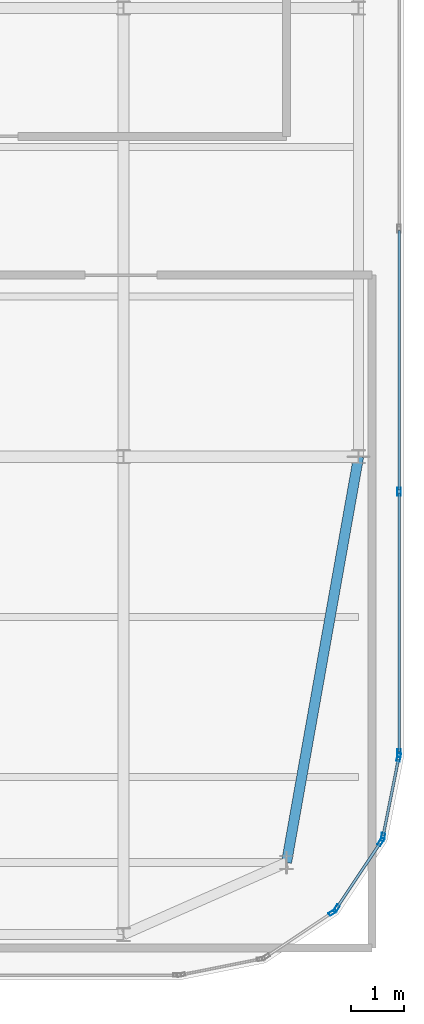
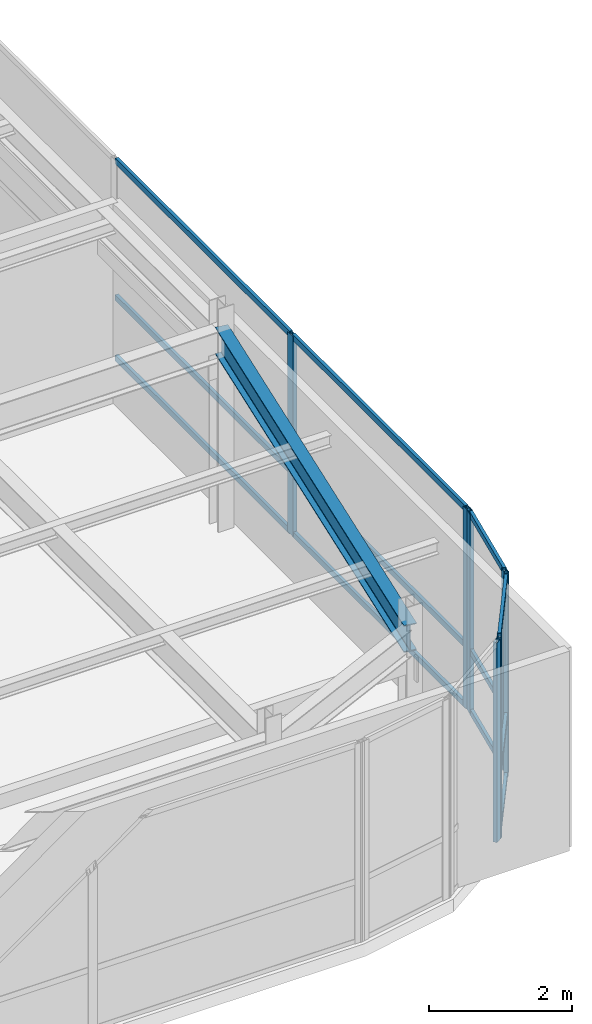
# One storey, part 21 of 35: 19 members, 1 beam, 4 elements without a shape of their own.
"""IFC4 building model written with IfcOpenShell, lengths in metres."""

from ifc_helpers import new_model, si_unit, direction, frame, origin, origin_2d, place, context, subcontext, project, spatial, hollow_rectangle, i_section, extrude, source, transform, mapped, material, layer, layer_set, material_profile, profile_set, type_object, type_shapes, element, aggregate, save


model = new_model("IFC4")

# Units and contexts
model_context = context("Model", 3, precision=1e-05, world=origin(), true_north=direction((0.0, 1.0)))
body_context = subcontext(model_context, "Body", "Model", "MODEL_VIEW")
ifc_project = project(units=[si_unit("LENGTHUNIT", "METRE"), si_unit("AREAUNIT", "SQUARE_METRE"), si_unit("VOLUMEUNIT", "CUBIC_METRE"), si_unit("PLANEANGLEUNIT", "RADIAN"), si_unit("MASSUNIT", "GRAM", prefix="KILO")], contexts=[model_context])

# Site, building, storey
site_placement = place(None, origin())
site = spatial("IfcSite", under=ifc_project, at=site_placement, CompositionType="ELEMENT")
building_placement = place(site_placement, origin())
building = spatial("IfcBuilding", under=site, at=building_placement, Name="Tolvann Quenvar Hotel", CompositionType="ELEMENT")
storey_placement = place(building_placement, frame((0.0, 0.0, 309.949951171875)))
storey = spatial("IfcBuildingStorey", under=building, at=storey_placement, Name="L82", CompositionType="ELEMENT", Elevation=309.949951171875)

# Beam
ifc_material_1 = material(Name="Steel Grade 350", Category="steel")
ifc_material_profile_1 = material_profile(ifc_material_1, i_section(OverallWidth=0.19091796875, OverallDepth=0.4599609375, WebThickness=0.010009765625, FlangeThickness=0.01611328125, FilletRadius=0.011474609375, at=origin_2d()), Name="460UB82")
ifc_profile_set_1 = profile_set([ifc_material_profile_1], Name="Steel Grade 350")
beam_type = type_object("IfcBeamType", Name="BM_SPAND_460UB82", PredefinedType="SPANDREL", material=ifc_profile_set_1)
shared_shape_1 = source(origin(), body_context, "Body", "SweptSolid", [
    extrude(i_section(OverallWidth=0.19091796875, OverallDepth=0.4599609375, WebThickness=0.010009765625, FlangeThickness=0.01611328125, FilletRadius=0.011474609375, at=origin_2d()), origin(), (0.0, 0.0, 1.0), 7.718994140625),
])
type_shapes(beam_type, [shared_shape_1])
beam_placement = place(storey_placement, frame((35.800048828125, 8.39990234375, 3.170166015625), z_axis=(0.174873222329, 0.984590958781, 0.0), x_axis=(-0.984590958781, 0.174873222329, 0.0)))
element("IfcBeam", 1, at=beam_placement, inside=storey, type_object=beam_type, Name="BM-L82-NS-G2-G4", PredefinedType="SPANDREL", context=body_context, shape_type="MappedRepresentation", body=[
    mapped(shared_shape_1, transform((0.0, 0.0, 0.0), x_axis=(1.0, 0.0, 0.0), y_axis=(0.0, 1.0, 0.0), z_axis=(0.0, 0.0, 1.0), scale=1.0)),
])

# Curtain wall, members
ifc_material_2 = material(Name="Thermally broken anodised architectural aluminium 6063-T6 and laminated low-E glass", Category="aluminium")
ifc_layer = layer(ifc_material_2, 0.179931640625)
ifc_layer_set = layer_set([ifc_layer], Name="Thermally broken anodised architectural aluminium 6063-T6 and laminated low-E glass")
curtain_wall_type = type_object("IfcCurtainWallType", Name="CW_SYS_LANT_06", PredefinedType="USERDEFINED", material=ifc_layer_set)
curtain_wall_1_placement = place(storey_placement, origin())
curtain_wall_1 = element("IfcCurtainWall", 2, at=curtain_wall_1_placement, inside=storey, type_object=curtain_wall_type, Name="Curtain Wall CW-LANT-06 (CWR-L82-E07)", ObjectType="UNITISED CURTAIN WALL", PredefinedType="USERDEFINED")
ifc_material_3 = material(Name="Anodised architectural aluminium 6063-T6 framing", Category="aluminium")
ifc_material_profile_2 = material_profile(ifc_material_3, hollow_rectangle(XDim=0.050048828125, YDim=0.10009765625, WallThickness=0.0029296875, at=origin_2d()), Name="100x50x3RHS")
ifc_profile_set_2 = profile_set([ifc_material_profile_2], Name="Anodised architectural aluminium 6063-T6 framing")
member_type_1 = type_object("IfcMemberType", Name="CW_TRAN_100x50", PredefinedType="USERDEFINED", material=ifc_profile_set_2)
shared_shape_2 = source(origin(), body_context, "Body", "SweptSolid", [
    extrude(hollow_rectangle(XDim=0.050048828125, YDim=0.10009765625, WallThickness=0.0029296875, at=origin_2d()), origin(), (0.0, 0.0, 1.0), 1.439208984375),
])
member_1_placement = place(storey_placement, frame((36.75048828125, 7.563232421875, 0.025146484375), z_axis=(0.555600315839, 0.831449510818, 0.0), x_axis=(-0.831449510818, 0.555600315839, 0.0)))
member_1 = element("IfcMember", 3, at=member_1_placement, type_object=member_type_1, Name="CW-LANT-06 transom 1.1", ObjectType="TRANSOM", PredefinedType="USERDEFINED", context=body_context, shape_type="MappedRepresentation", body=[
    mapped(shared_shape_2, transform((0.0, 0.0, 0.0), x_axis=(1.0, 0.0, 0.0), y_axis=(0.0, 1.0, 0.0), z_axis=(0.0, 0.0, 1.0), scale=1.0)),
])
member_2_placement = place(storey_placement, frame((36.75048828125, 7.563232421875, 1.050048828125), z_axis=(0.555600315839, 0.831449510818, 0.0), x_axis=(-0.831449510818, 0.555600315839, 0.0)))
member_2 = element("IfcMember", 4, at=member_2_placement, type_object=member_type_1, Name="CW-LANT-06 transom 1.2", ObjectType="TRANSOM", PredefinedType="USERDEFINED", context=body_context, shape_type="MappedRepresentation", body=[
    mapped(shared_shape_2, transform((0.0, 0.0, 0.0), x_axis=(1.0, 0.0, 0.0), y_axis=(0.0, 1.0, 0.0), z_axis=(0.0, 0.0, 1.0), scale=1.0)),
])
member_3_placement = place(storey_placement, frame((36.75048828125, 7.563232421875, 3.375), z_axis=(0.555600315839, 0.831449510818, 0.0), x_axis=(-0.831449510818, 0.555600315839, 0.0)))
member_3 = element("IfcMember", 5, at=member_3_placement, type_object=member_type_1, Name="CW-LANT-06 transom 1.3", ObjectType="TRANSOM", PredefinedType="USERDEFINED", context=body_context, shape_type="MappedRepresentation", body=[
    mapped(shared_shape_2, transform((0.0, 0.0, 0.0), x_axis=(1.0, 0.0, 0.0), y_axis=(0.0, 1.0, 0.0), z_axis=(0.0, 0.0, 1.0), scale=1.0)),
])

curtain_wall_2_placement = place(storey_placement, origin())
curtain_wall_2 = element("IfcCurtainWall", 6, at=curtain_wall_2_placement, inside=storey, type_object=curtain_wall_type, Name="Curtain Wall CW-LANT-06 (CWR-L82-E08)", ObjectType="UNITISED CURTAIN WALL", PredefinedType="USERDEFINED")
shared_shape_3 = source(origin(), body_context, "Body", "SweptSolid", [
    extrude(hollow_rectangle(XDim=0.050048828125, YDim=0.10009765625, WallThickness=0.0029296875, at=origin_2d()), origin(), (0.0, 0.0, 1.0), 1.456787109375),
])
member_4_placement = place(storey_placement, frame((37.611572265625, 8.908203125, 0.025146484375), z_axis=(0.195084651288, 0.980786408364, 0.0), x_axis=(-0.980786408364, 0.195084651288, 0.0)))
member_4 = element("IfcMember", 7, at=member_4_placement, type_object=member_type_1, Name="CW-LANT-06 transom 1.1", ObjectType="TRANSOM", PredefinedType="USERDEFINED", context=body_context, shape_type="MappedRepresentation", body=[
    mapped(shared_shape_3, transform((0.0, 0.0, 0.0), x_axis=(1.0, 0.0, 0.0), y_axis=(0.0, 1.0, 0.0), z_axis=(0.0, 0.0, 1.0), scale=1.0)),
])
member_5_placement = place(storey_placement, frame((37.611572265625, 8.908203125, 1.050048828125), z_axis=(0.195084651288, 0.980786408364, 0.0), x_axis=(-0.980786408364, 0.195084651288, 0.0)))
member_5 = element("IfcMember", 8, at=member_5_placement, type_object=member_type_1, Name="CW-LANT-06 transom 1.2", ObjectType="TRANSOM", PredefinedType="USERDEFINED", context=body_context, shape_type="MappedRepresentation", body=[
    mapped(shared_shape_3, transform((0.0, 0.0, 0.0), x_axis=(1.0, 0.0, 0.0), y_axis=(0.0, 1.0, 0.0), z_axis=(0.0, 0.0, 1.0), scale=1.0)),
])
member_6_placement = place(storey_placement, frame((37.611572265625, 8.908203125, 3.375), z_axis=(0.195084651288, 0.980786408364, 0.0), x_axis=(-0.980786408364, 0.195084651288, 0.0)))
member_6 = element("IfcMember", 9, at=member_6_placement, type_object=member_type_1, Name="CW-LANT-06 transom 1.3", ObjectType="TRANSOM", PredefinedType="USERDEFINED", context=body_context, shape_type="MappedRepresentation", body=[
    mapped(shared_shape_3, transform((0.0, 0.0, 0.0), x_axis=(1.0, 0.0, 0.0), y_axis=(0.0, 1.0, 0.0), z_axis=(0.0, 0.0, 1.0), scale=1.0)),
])

curtain_wall_3_placement = place(storey_placement, origin())
curtain_wall_3 = element("IfcCurtainWall", 10, at=curtain_wall_3_placement, inside=storey, type_object=curtain_wall_type, Name="Curtain Wall CW-LANT-06 (CWR-L82-E09)", ObjectType="UNITISED CURTAIN WALL", PredefinedType="USERDEFINED")
shared_shape_4 = source(origin(), body_context, "Body", "SweptSolid", [
    extrude(hollow_rectangle(XDim=0.050048828125, YDim=0.10009765625, WallThickness=0.0029296875, at=origin_2d()), origin(), (0.0, 0.0, 1.0), 4.830078125),
])
member_7_placement = place(storey_placement, frame((37.909912109375, 10.482177734375, 0.025146484375), z_axis=(0.0, 1.0, 0.0), x_axis=(-1.0, 0.0, 0.0)))
member_7 = element("IfcMember", 11, at=member_7_placement, type_object=member_type_1, Name="CW-LANT-06 transom 1.1", ObjectType="TRANSOM", PredefinedType="USERDEFINED", context=body_context, shape_type="MappedRepresentation", body=[
    mapped(shared_shape_4, transform((0.0, 0.0, 0.0), x_axis=(1.0, 0.0, 0.0), y_axis=(0.0, 1.0, 0.0), z_axis=(0.0, 0.0, 1.0), scale=1.0)),
])
member_8_placement = place(storey_placement, frame((37.909912109375, 10.482177734375, 1.050048828125), z_axis=(0.0, 1.0, 0.0), x_axis=(-1.0, 0.0, 0.0)))
member_8 = element("IfcMember", 12, at=member_8_placement, type_object=member_type_1, Name="CW-LANT-06 transom 1.2", ObjectType="TRANSOM", PredefinedType="USERDEFINED", context=body_context, shape_type="MappedRepresentation", body=[
    mapped(shared_shape_4, transform((0.0, 0.0, 0.0), x_axis=(1.0, 0.0, 0.0), y_axis=(0.0, 1.0, 0.0), z_axis=(0.0, 0.0, 1.0), scale=1.0)),
])
member_9_placement = place(storey_placement, frame((37.909912109375, 10.482177734375, 3.375), z_axis=(0.0, 1.0, 0.0), x_axis=(-1.0, 0.0, 0.0)))
member_9 = element("IfcMember", 13, at=member_9_placement, type_object=member_type_1, Name="CW-LANT-06 transom 1.3", ObjectType="TRANSOM", PredefinedType="USERDEFINED", context=body_context, shape_type="MappedRepresentation", body=[
    mapped(shared_shape_4, transform((0.0, 0.0, 0.0), x_axis=(1.0, 0.0, 0.0), y_axis=(0.0, 1.0, 0.0), z_axis=(0.0, 0.0, 1.0), scale=1.0)),
])
shared_shape_5 = source(origin(), body_context, "Body", "SweptSolid", [
    extrude(hollow_rectangle(XDim=0.050048828125, YDim=0.10009765625, WallThickness=0.0029296875, at=origin_2d()), origin(), (0.0, 0.0, 1.0), 4.86279296875),
])
type_shapes(member_type_1, [shared_shape_2, shared_shape_3, shared_shape_4, shared_shape_5])
member_10_placement = place(storey_placement, frame((37.909912109375, 15.377197265625, 0.025146484375), z_axis=(0.0, 1.0, 0.0), x_axis=(-1.0, 0.0, 0.0)))
member_10 = element("IfcMember", 14, at=member_10_placement, type_object=member_type_1, Name="CW-LANT-06 transom 2.1", ObjectType="TRANSOM", PredefinedType="USERDEFINED", context=body_context, shape_type="MappedRepresentation", body=[
    mapped(shared_shape_5, transform((0.0, 0.0, 0.0), x_axis=(1.0, 0.0, 0.0), y_axis=(0.0, 1.0, 0.0), z_axis=(0.0, 0.0, 1.0), scale=1.0)),
])
member_11_placement = place(storey_placement, frame((37.909912109375, 15.377197265625, 1.050048828125), z_axis=(0.0, 1.0, 0.0), x_axis=(-1.0, 0.0, 0.0)))
member_11 = element("IfcMember", 15, at=member_11_placement, type_object=member_type_1, Name="CW-LANT-06 transom 2.2", ObjectType="TRANSOM", PredefinedType="USERDEFINED", context=body_context, shape_type="MappedRepresentation", body=[
    mapped(shared_shape_5, transform((0.0, 0.0, 0.0), x_axis=(1.0, 0.0, 0.0), y_axis=(0.0, 1.0, 0.0), z_axis=(0.0, 0.0, 1.0), scale=1.0)),
])
member_12_placement = place(storey_placement, frame((37.909912109375, 15.377197265625, 3.375), z_axis=(0.0, 1.0, 0.0), x_axis=(-1.0, 0.0, 0.0)))
member_12 = element("IfcMember", 16, at=member_12_placement, type_object=member_type_1, Name="CW-LANT-06 transom 2.3", ObjectType="TRANSOM", PredefinedType="USERDEFINED", context=body_context, shape_type="MappedRepresentation", body=[
    mapped(shared_shape_5, transform((0.0, 0.0, 0.0), x_axis=(1.0, 0.0, 0.0), y_axis=(0.0, 1.0, 0.0), z_axis=(0.0, 0.0, 1.0), scale=1.0)),
])

# Curtain wall, member
curtain_wall_4_placement = place(storey_placement, origin())
curtain_wall_4 = element("IfcCurtainWall", 17, at=curtain_wall_4_placement, inside=storey, type_object=curtain_wall_type, Name="Curtain Wall CW-LANT-06 (CWR-L82-E06)", ObjectType="UNITISED CURTAIN WALL", PredefinedType="USERDEFINED")
ifc_material_profile_3 = material_profile(ifc_material_3, hollow_rectangle(XDim=0.06494140625, YDim=0.14990234375, WallThickness=0.00390625, at=origin_2d()), Name="150x65x4RHS")
ifc_profile_set_3 = profile_set([ifc_material_profile_3], Name="Anodised architectural aluminium 6063-T6 framing")
member_type_2 = type_object("IfcMemberType", Name="CW_MULL_150x65", PredefinedType="MULLION", material=ifc_profile_set_3)
shared_shape_6 = source(origin(), body_context, "Body", "SweptSolid", [
    extrude(hollow_rectangle(XDim=0.06494140625, YDim=0.14990234375, WallThickness=0.00390625, at=origin_2d()), origin(), (0.0, 0.0, 1.0), 3.400146484375),
])
type_shapes(member_type_2, [shared_shape_6])
member_13_placement = place(storey_placement, frame((36.663818359375, 7.467529296875, 0.0), z_axis=(0.0, 0.0, 1.0), x_axis=(-0.555655769644, 0.831412452193, 0.0)))
member_13 = element("IfcMember", 18, at=member_13_placement, type_object=member_type_2, Name="CW-LANT-06 mullion 2", PredefinedType="MULLION", context=body_context, shape_type="MappedRepresentation", body=[
    mapped(shared_shape_6, transform((0.0, 0.0, 0.0), x_axis=(1.0, 0.0, 0.0), y_axis=(0.0, 1.0, 0.0), z_axis=(0.0, 0.0, 1.0), scale=1.0)),
])
aggregate(curtain_wall_4, [member_13])

# Member
member_14_placement = place(storey_placement, frame((36.732421875, 7.5361328125, 0.0), z_axis=(0.0, 0.0, 1.0), x_axis=(-0.831412452193, 0.555655769644, 0.0)))
member_14 = element("IfcMember", 19, at=member_14_placement, type_object=member_type_2, Name="CW-LANT-06 mullion 1", PredefinedType="MULLION", context=body_context, shape_type="MappedRepresentation", body=[
    mapped(shared_shape_6, transform((0.0, 0.0, 0.0), x_axis=(1.0, 0.0, 0.0), y_axis=(0.0, 1.0, 0.0), z_axis=(0.0, 0.0, 1.0), scale=1.0)),
])

member_15_placement = place(storey_placement, frame((37.568115234375, 8.786865234375, 0.0), z_axis=(0.0, 0.0, 1.0), x_axis=(-0.831412452193, 0.555655769644, 0.0)))
member_15 = element("IfcMember", 20, at=member_15_placement, type_object=member_type_2, Name="CW-LANT-06 mullion 2", PredefinedType="MULLION", context=body_context, shape_type="MappedRepresentation", body=[
    mapped(shared_shape_6, transform((0.0, 0.0, 0.0), x_axis=(1.0, 0.0, 0.0), y_axis=(0.0, 1.0, 0.0), z_axis=(0.0, 0.0, 1.0), scale=1.0)),
])

aggregate(curtain_wall_1, [member_14, member_15, member_1, member_2, member_3])

member_16_placement = place(storey_placement, frame((37.605224609375, 8.876220703125, 0.0), z_axis=(0.0, 0.0, 1.0), x_axis=(-0.980790999222, 0.195061569369, 0.0)))
member_16 = element("IfcMember", 21, at=member_16_placement, type_object=member_type_2, Name="CW-LANT-06 mullion 1", PredefinedType="MULLION", context=body_context, shape_type="MappedRepresentation", body=[
    mapped(shared_shape_6, transform((0.0, 0.0, 0.0), x_axis=(1.0, 0.0, 0.0), y_axis=(0.0, 1.0, 0.0), z_axis=(0.0, 0.0, 1.0), scale=1.0)),
])

member_17_placement = place(storey_placement, frame((37.902099609375, 10.36865234375, 0.0), z_axis=(0.0, 0.0, 1.0), x_axis=(-0.980790999222, 0.195061569369, 0.0)))
member_17 = element("IfcMember", 22, at=member_17_placement, type_object=member_type_2, Name="CW-LANT-06 mullion 2", PredefinedType="MULLION", context=body_context, shape_type="MappedRepresentation", body=[
    mapped(shared_shape_6, transform((0.0, 0.0, 0.0), x_axis=(1.0, 0.0, 0.0), y_axis=(0.0, 1.0, 0.0), z_axis=(0.0, 0.0, 1.0), scale=1.0)),
])

aggregate(curtain_wall_2, [member_16, member_17, member_4, member_5, member_6])

member_18_placement = place(storey_placement, frame((37.909912109375, 10.44970703125, 0.0), z_axis=(0.0, 0.0, 1.0), x_axis=(-1.0, 0.0, 0.0)))
member_18 = element("IfcMember", 23, at=member_18_placement, type_object=member_type_2, Name="CW-LANT-06 mullion 1", PredefinedType="MULLION", context=body_context, shape_type="MappedRepresentation", body=[
    mapped(shared_shape_6, transform((0.0, 0.0, 0.0), x_axis=(1.0, 0.0, 0.0), y_axis=(0.0, 1.0, 0.0), z_axis=(0.0, 0.0, 1.0), scale=1.0)),
])

member_19_placement = place(storey_placement, frame((37.909912109375, 15.3447265625, 0.0), z_axis=(0.0, 0.0, 1.0), x_axis=(-1.0, 0.0, 0.0)))
member_19 = element("IfcMember", 24, at=member_19_placement, type_object=member_type_2, Name="CW-LANT-06 mullion 2", PredefinedType="MULLION", context=body_context, shape_type="MappedRepresentation", body=[
    mapped(shared_shape_6, transform((0.0, 0.0, 0.0), x_axis=(1.0, 0.0, 0.0), y_axis=(0.0, 1.0, 0.0), z_axis=(0.0, 0.0, 1.0), scale=1.0)),
])

aggregate(curtain_wall_3, [member_18, member_19, member_7, member_8, member_9, member_10, member_11, member_12])

save(model, "model.ifc")
